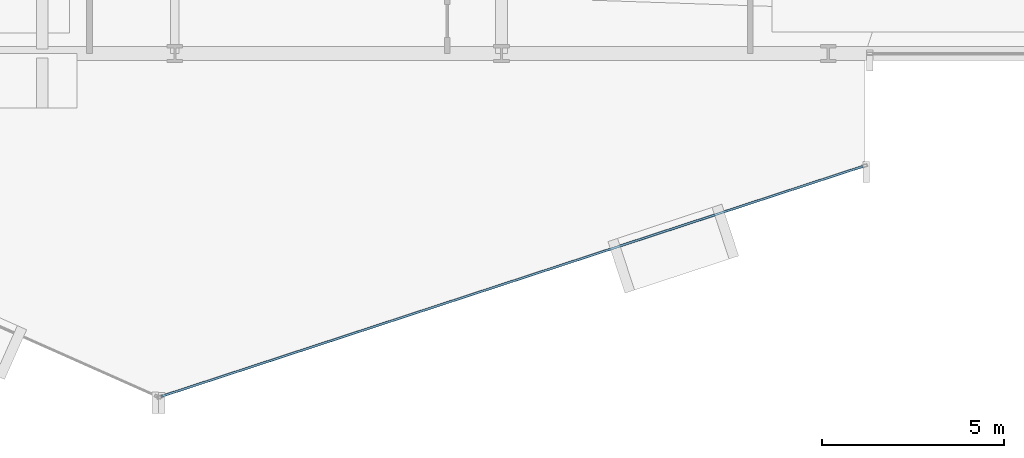
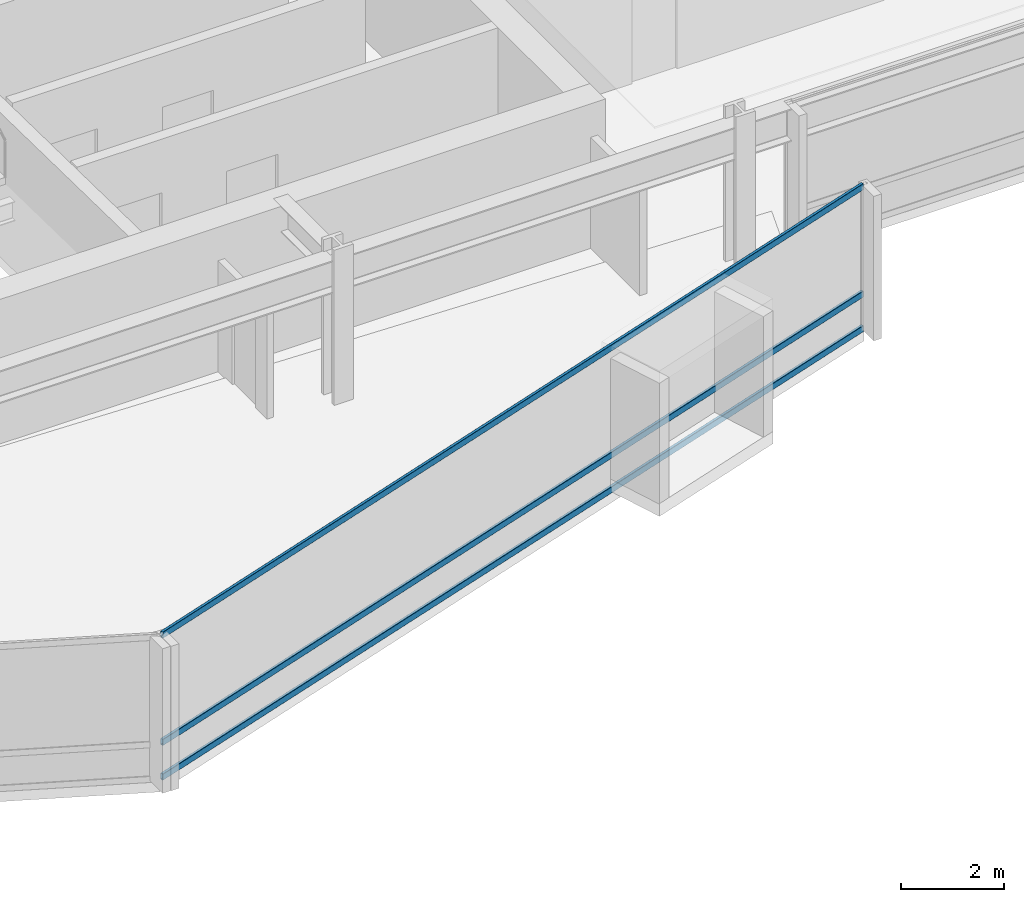
# One storey, part 9 of 34: 3 members, 1 element without a shape of its own.
"""IFC4 building model written with IfcOpenShell, lengths in metres."""

import ifcopenshell
import ifcopenshell.guid

model = None  # the IFC model being written
_history = None  # IfcOwnerHistory: only IFC2X3 demands one
_inside = {}  # id of a spatial element -> (the spatial element, [elements in it])
_under = {}  # id of a project, library or spatial element -> (it, [spatial elements below it])
_declared = {}  # id of a project -> (the project, [libraries it declares])
_typed = {}  # id of a type object -> (the type object, [elements of that type])
_made_of = {}  # id of a material, layer set ... -> (it, [elements and type objects made of it])


def new_model(schema):
    """Start an empty IFC model of exactly this schema.

    Asked for "IFC4X3", IfcOpenShell would pick the latest addendum, in which some entities
    have other attributes; the version numbers below select the first issue.
    IFC2X3 requires an IfcOwnerHistory on every rooted entity: one is made here for all.
    """
    global model, _history
    if schema == "IFC4X3":
        model = ifcopenshell.file(schema_version=(4, 3, 0, 0))
    else:
        model = ifcopenshell.file(schema=schema)
    _inside.clear()
    _under.clear()
    _declared.clear()
    _typed.clear()
    _made_of.clear()
    _history = None
    if model.schema == "IFC2X3":
        org = make("IfcOrganization", Name="unknown")
        user = make(
            "IfcPersonAndOrganization",
            ThePerson=make("IfcPerson", FamilyName="unknown"),
            TheOrganization=org,
        )
        app = make(
            "IfcApplication",
            ApplicationDeveloper=org,
            Version="unknown",
            ApplicationFullName="unknown",
            ApplicationIdentifier="unknown",
        )
        _history = make(
            "IfcOwnerHistory",
            OwningUser=user,
            OwningApplication=app,
            ChangeAction="ADDED",
            CreationDate=0,
        )
    return model


def make(cls, **values):
    """One entity of the class cls with the attributes given. An attribute that is None is left unset."""
    return model.create_entity(
        cls, **{name: value for name, value in values.items() if value is not None}
    )


def rooted(cls, **values):
    """An entity with a GlobalId (a new one), such as an element, a storey or a relation."""
    return make(cls, GlobalId=ifcopenshell.guid.new(), OwnerHistory=_history, **values)


def si_unit(unit_type, name, prefix=None):
    """IfcSIUnit, for example si_unit("LENGTHUNIT", "METRE", prefix="MILLI")."""
    return make("IfcSIUnit", UnitType=unit_type, Prefix=prefix, Name=name)


def assignment(units):
    """IfcUnitAssignment: the units of a project."""
    return None if units is None else make("IfcUnitAssignment", Units=units)


def point(xyz):
    """IfcCartesianPoint."""
    return None if xyz is None else make("IfcCartesianPoint", Coordinates=xyz)


def direction(xyz):
    """IfcDirection."""
    return None if xyz is None else make("IfcDirection", DirectionRatios=xyz)


def frame(location, z_axis=None, x_axis=None):
    """IfcAxis2Placement3D, a coordinate frame: its origin and axes. An axis left out is left unset."""
    return make(
        "IfcAxis2Placement3D",
        Location=point(location),
        Axis=direction(z_axis),
        RefDirection=direction(x_axis),
    )


def frame_2d(location, x_axis=None):
    """IfcAxis2Placement2D, a coordinate frame in the plane: its origin and x axis."""
    return make(
        "IfcAxis2Placement2D", Location=point(location), RefDirection=direction(x_axis)
    )


def origin():
    """The frame at (0, 0, 0) with its axes left unset."""
    return frame((0.0, 0.0, 0.0))


def origin_2d():
    """The frame at (0, 0) in the plane with its x axis left unset."""
    return frame_2d((0.0, 0.0))


def place(relative_to, where):
    """IfcLocalPlacement: puts the frame where relative to a parent placement (None: the world)."""
    return make(
        "IfcLocalPlacement", PlacementRelTo=relative_to, RelativePlacement=where
    )


def context(
    kind, dimensions, precision=None, world=None, true_north=None, identifier=None
):
    """IfcGeometricRepresentationContext, for example the 3D "Model" context."""
    return make(
        "IfcGeometricRepresentationContext",
        ContextIdentifier=identifier,
        ContextType=kind,
        CoordinateSpaceDimension=dimensions,
        Precision=precision,
        WorldCoordinateSystem=world,
        TrueNorth=true_north,
    )


def subcontext(parent, identifier, kind, view, scale=None):
    """IfcGeometricRepresentationSubContext, for example "Body" below "Model"."""
    return make(
        "IfcGeometricRepresentationSubContext",
        ContextIdentifier=identifier,
        ContextType=kind,
        ParentContext=parent,
        TargetScale=scale,
        TargetView=view,
    )


def project(units=None, contexts=None):
    """IfcProject with its units and contexts."""
    return rooted(
        "IfcProject",
        Name="project",
        RepresentationContexts=contexts,
        UnitsInContext=assignment(units),
    )


def spatial(cls, under=None, at=None, **own):
    """A site, building, storey or space (cls), placed at a placement, below another one or the project."""
    s = rooted(cls, ObjectPlacement=at, **own)
    if under is not None:
        _under.setdefault(under.id(), (under, []))[1].append(s)
    return s


def profile(cls, at=None, kind="AREA", **sizes):
    """A parametric profile (cls). Its sizes go by their IFC names, for example OverallWidth=200.0."""
    return make(cls, ProfileType=kind, Position=at, **sizes)


def hollow_rectangle(**sizes):
    """IfcRectangleHollowProfileDef."""
    return profile("IfcRectangleHollowProfileDef", **sizes)


def extrude(swept, where, along, depth):
    """IfcExtrudedAreaSolid: the profile swept, set in the frame where, extruded along a direction by depth."""
    return make(
        "IfcExtrudedAreaSolid",
        SweptArea=swept,
        Position=where,
        ExtrudedDirection=direction(along),
        Depth=depth,
    )


def shape(context_of_items, identifier, shape_type, items):
    """IfcShapeRepresentation: the items that make up one representation, for example the "Body"."""
    return make(
        "IfcShapeRepresentation",
        ContextOfItems=context_of_items,
        RepresentationIdentifier=identifier,
        RepresentationType=shape_type,
        Items=items,
    )


def material(Name=None, Category=None):
    """IfcMaterial."""
    return make("IfcMaterial", Name=Name, Category=Category)


def layer(
    of_material, thickness, ventilated=None, Name=None, Category=None, Priority=None
):
    """IfcMaterialLayer: one layer of a wall or slab, of a material (None: an air gap)."""
    return make(
        "IfcMaterialLayer",
        Material=of_material,
        LayerThickness=thickness,
        IsVentilated=ventilated,
        Name=Name,
        Category=Category,
        Priority=Priority,
    )


def layer_set(layers, Name=None):
    """IfcMaterialLayerSet."""
    return make("IfcMaterialLayerSet", MaterialLayers=layers, LayerSetName=Name)


def material_profile(
    of_material, cross_section, Name=None, Category=None, Priority=None
):
    """IfcMaterialProfile: a cross section and its material."""
    return make(
        "IfcMaterialProfile",
        Name=Name,
        Material=of_material,
        Profile=cross_section,
        Priority=Priority,
        Category=Category,
    )


def profile_set(profiles, Name=None, composite=None):
    """IfcMaterialProfileSet."""
    return make(
        "IfcMaterialProfileSet",
        Name=Name,
        MaterialProfiles=profiles,
        CompositeProfile=composite,
    )


def made_of(thing, what):
    """Note that an element or type object is made of a material, layer set ...; save() writes the relation."""
    if what is not None:
        _made_of.setdefault(what.id(), (what, []))[1].append(thing)
    return thing


def type_object(cls, material=None, **own):
    """A type object (cls), such as IfcWallType, which elements share."""
    return made_of(rooted(cls, **own), material)


def element(
    cls,
    number,
    at=None,
    inside=None,
    cuts=None,
    type_object=None,
    material=None,
    context=None,
    identifier="Body",
    shape_type=None,
    held_by="IfcProductDefinitionShape",
    body=None,
    shapes=None,
    **own,
):
    """One element of the class cls, such as IfcWall. Its Tag is "e" and its number.

    at: its placement. inside: the storey or other place that contains it. cuts: it is an
    opening in that element (IfcRelVoidsElement). A single representation is given by context,
    identifier, shape_type and body (its items); several are given by shapes. held_by: the class
    of the entity that holds the representations. save() writes the other relations.
    """
    e = rooted(cls, Tag="e%d" % number, ObjectPlacement=at, **own)
    if body is not None:
        shapes = [shape(context, identifier, shape_type, body)]
    if shapes is not None:
        e.Representation = make(held_by, Representations=shapes)
    if inside is not None:
        _inside.setdefault(inside.id(), (inside, []))[1].append(e)
    if cuts is not None:
        rooted(
            "IfcRelVoidsElement", RelatingBuildingElement=cuts, RelatedOpeningElement=e
        )
    if type_object is not None:
        _typed.setdefault(type_object.id(), (type_object, []))[1].append(e)
    return made_of(e, material)


def aggregate(whole, parts):
    """IfcRelAggregates: a whole, such as a stair, and the parts it consists of."""
    return rooted("IfcRelAggregates", RelatingObject=whole, RelatedObjects=parts)


def save(model, path):
    """Write the relations noted so far, then the file.

    IfcRelAggregates (storeys below a building ...), IfcRelContainedInSpatialStructure (elements
    in a storey), IfcRelDefinesByType, IfcRelAssociatesMaterial and IfcRelDeclares: one each for
    every whole, place, type object, material and project.
    """
    for whole, parts in _under.values():
        aggregate(whole, parts)
    for where, things in _inside.values():
        rooted(
            "IfcRelContainedInSpatialStructure",
            RelatedElements=things,
            RelatingStructure=where,
        )
    for kind, things in _typed.values():
        rooted("IfcRelDefinesByType", RelatedObjects=things, RelatingType=kind)
    for what, things in _made_of.values():
        rooted("IfcRelAssociatesMaterial", RelatedObjects=things, RelatingMaterial=what)
    for by, libraries in _declared.values():
        rooted("IfcRelDeclares", RelatingContext=by, RelatedDefinitions=libraries)
    model.write(path)


model = new_model("IFC4")

# Units and contexts
model_context = context("Model", 3, precision=1e-05, world=origin(), true_north=direction((0.0, 1.0)))
body_context = subcontext(model_context, "Body", "Model", "MODEL_VIEW")
ifc_project = project(units=[si_unit("LENGTHUNIT", "METRE"), si_unit("AREAUNIT", "SQUARE_METRE"), si_unit("VOLUMEUNIT", "CUBIC_METRE"), si_unit("PLANEANGLEUNIT", "RADIAN"), si_unit("MASSUNIT", "GRAM", prefix="KILO")], contexts=[model_context])

# Site, building, storey
site_placement = place(None, origin())
site = spatial("IfcSite", under=ifc_project, at=site_placement, CompositionType="ELEMENT")
building_placement = place(site_placement, origin())
building = spatial("IfcBuilding", under=site, at=building_placement, Name="Solvaryn Broadcast Tower", CompositionType="ELEMENT")
storey_placement = place(building_placement, frame((0.0, 0.0, 36.0)))
storey = spatial("IfcBuildingStorey", under=building, at=storey_placement, Name="L07", CompositionType="ELEMENT", Elevation=36.0)

# Curtain wall, members
ifc_material_1 = material(Name="Aluminium and Terracotta Unitised Curtain Wall", Category="masonry")
ifc_layer = layer(ifc_material_1, 0.199951171875)
ifc_layer_set = layer_set([ifc_layer], Name="CW-SYS2-LOWMID")
curtain_wall_type = type_object("IfcCurtainWallType", Name="CW-SYS2-LOWMID", PredefinedType="NOTDEFINED", material=ifc_layer_set)
curtain_wall_placement = place(storey_placement, origin())
curtain_wall = element("IfcCurtainWall", 1, at=curtain_wall_placement, inside=storey, type_object=curtain_wall_type, Name="L07 Curtain Wall DR4", PredefinedType="NOTDEFINED")
ifc_material_2 = material(Name="Anodised Aluminium 6063-T6", Category="aluminium")
ifc_material_profile = material_profile(ifc_material_2, hollow_rectangle(XDim=0.06494140625, YDim=0.14990234375, WallThickness=0.00390625, InnerFilletRadius=0.00390625, OuterFilletRadius=0.008056640625, at=origin_2d()))
ifc_profile_set = profile_set([ifc_material_profile], Name="Anodised Aluminium 6063-T6")
member_type = type_object("IfcMemberType", Name="CW-TRN-150", PredefinedType="USERDEFINED", material=ifc_profile_set)
member_1_placement = place(storey_placement, frame((26.616943359375, -0.4453125, 0.030029296875), z_axis=(0.950216792475, 0.311589549406, 0.0), x_axis=(-0.311589549406, 0.950216792475, 0.0)))
member_1 = element("IfcMember", 2, at=member_1_placement, type_object=member_type, Name="CWS2 transom 1.1", ObjectType="TRANSOM", PredefinedType="USERDEFINED", context=body_context, shape_type="SweptSolid", body=[
    extrude(hollow_rectangle(XDim=0.06494140625, YDim=0.14990234375, WallThickness=0.00390625, InnerFilletRadius=0.00390625, OuterFilletRadius=0.008056640625, at=origin_2d()), origin(), (0.0, 0.0, 1.0), 20.35546875),
])
member_2_placement = place(storey_placement, frame((26.616943359375, -0.4453125, 0.85009765625), z_axis=(0.950216792475, 0.311589549406, 0.0), x_axis=(-0.311589549406, 0.950216792475, 0.0)))
member_2 = element("IfcMember", 3, at=member_2_placement, type_object=member_type, Name="CWS2 transom 1.2", ObjectType="TRANSOM", PredefinedType="USERDEFINED", context=body_context, shape_type="SweptSolid", body=[
    extrude(hollow_rectangle(XDim=0.06494140625, YDim=0.14990234375, WallThickness=0.00390625, InnerFilletRadius=0.00390625, OuterFilletRadius=0.008056640625, at=origin_2d()), origin(), (0.0, 0.0, 1.0), 20.35546875),
])
member_3_placement = place(storey_placement, frame((26.616943359375, -0.4453125, 3.389892578125), z_axis=(0.950216792475, 0.311589549406, 0.0), x_axis=(-0.311589549406, 0.950216792475, 0.0)))
member_3 = element("IfcMember", 4, at=member_3_placement, type_object=member_type, Name="CWS2 transom 1.3", ObjectType="TRANSOM", PredefinedType="USERDEFINED", context=body_context, shape_type="SweptSolid", body=[
    extrude(hollow_rectangle(XDim=0.06494140625, YDim=0.14990234375, WallThickness=0.00390625, InnerFilletRadius=0.00390625, OuterFilletRadius=0.008056640625, at=origin_2d()), origin(), (0.0, 0.0, 1.0), 20.35546875),
])
aggregate(curtain_wall, [member_1, member_2, member_3])

save(model, "model.ifc")
